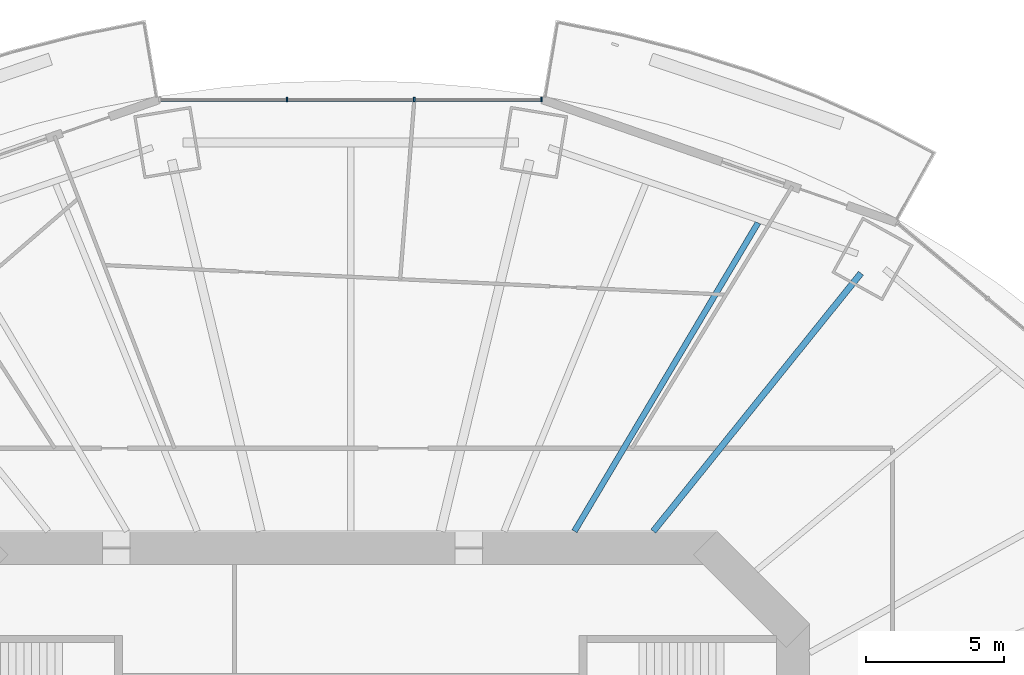
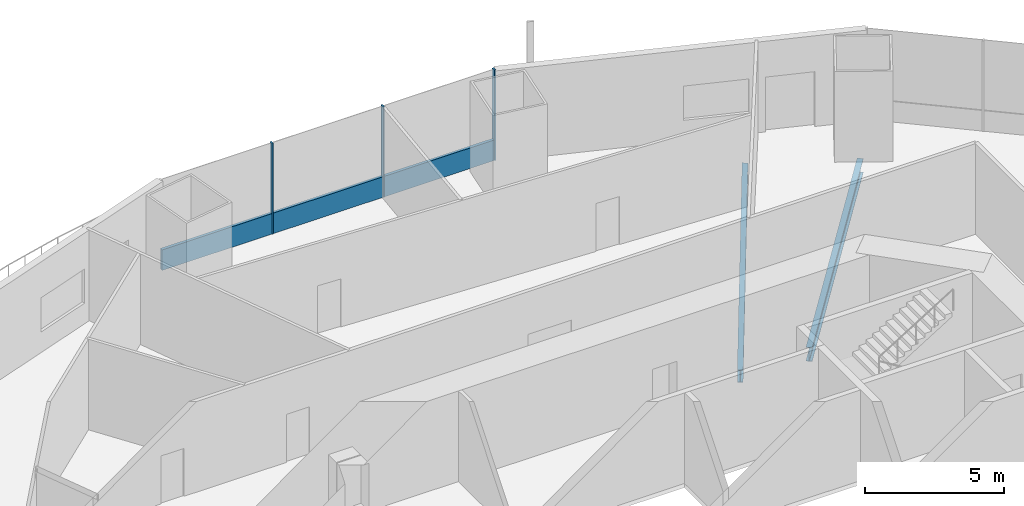
# One storey, part 9 of 22: 4 members, 2 beams, 1 element without a shape of its own.
"""IFC4 building model written with IfcOpenShell, lengths in metres."""

from ifc_helpers import new_model, si_unit, direction, frame, origin, origin_2d, place, context, subcontext, project, spatial, rectangle, i_section, extrude, material, material_profile, profile_set, type_object, element, aggregate, save


model = new_model("IFC4")

# Units and contexts
model_context = context("Model", 3, precision=1e-05, world=origin(), true_north=direction((0.0, 1.0)))
body_context = subcontext(model_context, "Body", "Model", "MODEL_VIEW")
ifc_project = project(units=[si_unit("LENGTHUNIT", "METRE"), si_unit("AREAUNIT", "SQUARE_METRE"), si_unit("VOLUMEUNIT", "CUBIC_METRE"), si_unit("PLANEANGLEUNIT", "RADIAN"), si_unit("MASSUNIT", "GRAM", prefix="KILO")], contexts=[model_context])

# Site, building, storey
site_placement = place(None, origin())
site = spatial("IfcSite", under=ifc_project, at=site_placement, CompositionType="ELEMENT")
building_placement = place(site_placement, origin())
building = spatial("IfcBuilding", under=site, at=building_placement, Name="Marenthal Gate Tower", CompositionType="ELEMENT")
storey_placement = place(building_placement, frame((0.0, 0.0, 78.64990234375)))
storey = spatial("IfcBuildingStorey", under=building, at=storey_placement, Name="L15", CompositionType="ELEMENT", Elevation=78.64990234375)

# Curtain wall, members
ifc_material_1 = material(Name="Aluminium and glass", Category="aluminium")
curtain_wall_type = type_object("IfcCurtainWallType", Name="Curtain wall typical low", PredefinedType="NOTDEFINED", material=ifc_material_1)
curtain_wall_placement = place(storey_placement, origin())
curtain_wall = element("IfcCurtainWall", 1, at=curtain_wall_placement, inside=storey, type_object=curtain_wall_type, Name="Curtain wall L15 bay 4", PredefinedType="NOTDEFINED")
ifc_material_2 = material(Name="Aluminium", Category="aluminium")
ifc_material_profile_1 = material_profile(ifc_material_2, rectangle(XDim=0.159912109375, YDim=0.06005859375, at=origin_2d()), Name="60x160 aluminium mullion")
ifc_profile_set_1 = profile_set([ifc_material_profile_1], Name="Aluminium")
member_type_1 = type_object("IfcMemberType", Name="Mullion 60x160 typical low", PredefinedType="MULLION", material=ifc_profile_set_1)
member_1_placement = place(storey_placement, frame((6.906005859375, 29.211669921875, 0.0), z_axis=(0.0, 0.0, 1.0), x_axis=(0.0, -1.0, 0.0)))
member_1 = element("IfcMember", 2, at=member_1_placement, type_object=member_type_1, Name="Mullion L15 bay 4.1", PredefinedType="MULLION", context=body_context, shape_type="SweptSolid", body=[
    extrude(rectangle(XDim=0.159912109375, YDim=0.06005859375, at=origin_2d()), origin(), (0.0, 0.0, 1.0), 3.97021484375),
])
member_2_placement = place(storey_placement, frame((2.302001953125, 29.211669921875, 0.0), z_axis=(0.0, 0.0, 1.0), x_axis=(0.0, -1.0, 0.0)))
member_2 = element("IfcMember", 3, at=member_2_placement, type_object=member_type_1, Name="Mullion L15 bay 4.2", PredefinedType="MULLION", context=body_context, shape_type="SweptSolid", body=[
    extrude(rectangle(XDim=0.159912109375, YDim=0.06005859375, at=origin_2d()), origin(), (0.0, 0.0, 1.0), 3.97021484375),
])
member_3_placement = place(storey_placement, frame((-2.302001953125, 29.211669921875, 0.0), z_axis=(0.0, 0.0, 1.0), x_axis=(0.0, -1.0, 0.0)))
member_3 = element("IfcMember", 4, at=member_3_placement, type_object=member_type_1, Name="Mullion L15 bay 4.3", PredefinedType="MULLION", context=body_context, shape_type="SweptSolid", body=[
    extrude(rectangle(XDim=0.159912109375, YDim=0.06005859375, at=origin_2d()), origin(), (0.0, 0.0, 1.0), 3.97021484375),
])
ifc_material_3 = material(Name="Aluminium", Category="aluminium")
ifc_material_profile_2 = material_profile(ifc_material_3, rectangle(XDim=0.1201171875, YDim=0.89990234375, at=origin_2d()), Name="120x900 aluminium transom")
ifc_profile_set_2 = profile_set([ifc_material_profile_2], Name="Aluminium")
member_type_2 = type_object("IfcMemberType", Name="Transom 120x900 typical low", PredefinedType="USERDEFINED", material=ifc_profile_set_2)
member_4_placement = place(storey_placement, frame((6.8759765625, 29.211669921875, 0.4501953125), z_axis=(-1.0, 0.0, 0.0), x_axis=(0.0, -1.0, 0.0)))
member_4 = element("IfcMember", 5, at=member_4_placement, type_object=member_type_2, Name="Transom L15 bay 4", ObjectType="TRANSOM", PredefinedType="USERDEFINED", context=body_context, shape_type="SweptSolid", body=[
    extrude(rectangle(XDim=0.1201171875, YDim=0.89990234375, at=origin_2d()), origin(), (0.0, 0.0, 1.0), 13.751953125),
])
aggregate(curtain_wall, [member_1, member_2, member_3, member_4])

# Beams
ifc_material_4 = material(Name="Steel S355", Category="steel")
ifc_material_profile_3 = material_profile(ifc_material_4, i_section(OverallWidth=0.2119140625, OverallDepth=0.5439453125, WebThickness=0.01318359375, FlangeThickness=0.021240234375, FilletRadius=0.0126953125, at=origin_2d()), Name="W530X123")
ifc_profile_set_3 = profile_set([ifc_material_profile_3], Name="Steel S355")
beam_type_1 = type_object("IfcBeamType", Name="W530X123 beam", PredefinedType="BEAM", material=ifc_profile_set_3)
beam_1_placement = place(storey_placement, frame((14.732421875, 24.754150390625, -0.451904296875), z_axis=(-0.511433266122, -0.859322997658, 0.0), x_axis=(0.859322997658, -0.511433266122, 0.0)))
element("IfcBeam", 6, at=beam_1_placement, inside=storey, type_object=beam_type_1, Name="BM-L15-20", PredefinedType="BEAM", context=body_context, shape_type="SweptSolid", body=[
    extrude(i_section(OverallWidth=0.2119140625, OverallDepth=0.5439453125, WebThickness=0.01318359375, FlangeThickness=0.021240234375, FilletRadius=0.0126953125, at=origin_2d()), origin(), (0.0, 0.0, 1.0), 12.97998046875),
])
ifc_material_5 = material(Name="Steel S355", Category="steel")
ifc_material_profile_4 = material_profile(ifc_material_5, i_section(OverallWidth=0.22900390625, OverallDepth=0.612060546875, WebThickness=0.011962890625, FlangeThickness=0.01953125, FilletRadius=0.0126953125, at=origin_2d()), Name="W610X125")
ifc_profile_set_4 = profile_set([ifc_material_profile_4], Name="Steel S355")
beam_type_2 = type_object("IfcBeamType", Name="W610X125 beam", PredefinedType="BEAM", material=ifc_profile_set_4)
beam_2_placement = place(storey_placement, frame((18.456298828125, 22.93115234375, -0.48583984375), z_axis=(-0.62700397479, -0.779016056059, 0.0), x_axis=(0.779016056059, -0.62700397479, 0.0)))
element("IfcBeam", 7, at=beam_2_placement, inside=storey, type_object=beam_type_2, Name="BM-L15-03", PredefinedType="BEAM", context=body_context, shape_type="SweptSolid", body=[
    extrude(i_section(OverallWidth=0.22900390625, OverallDepth=0.612060546875, WebThickness=0.011962890625, FlangeThickness=0.01953125, FilletRadius=0.0126953125, at=origin_2d()), origin(), (0.0, 0.0, 1.0), 11.97802734375),
])

save(model, "model.ifc")
